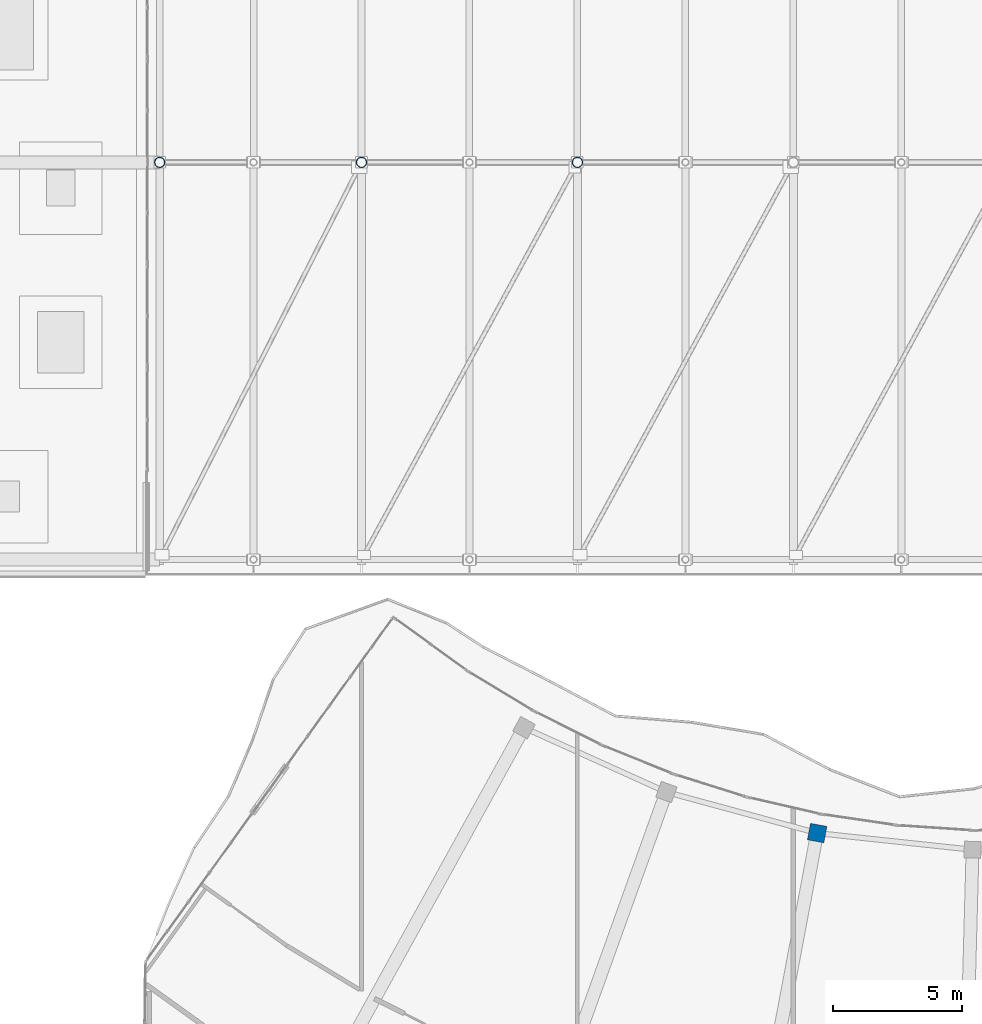
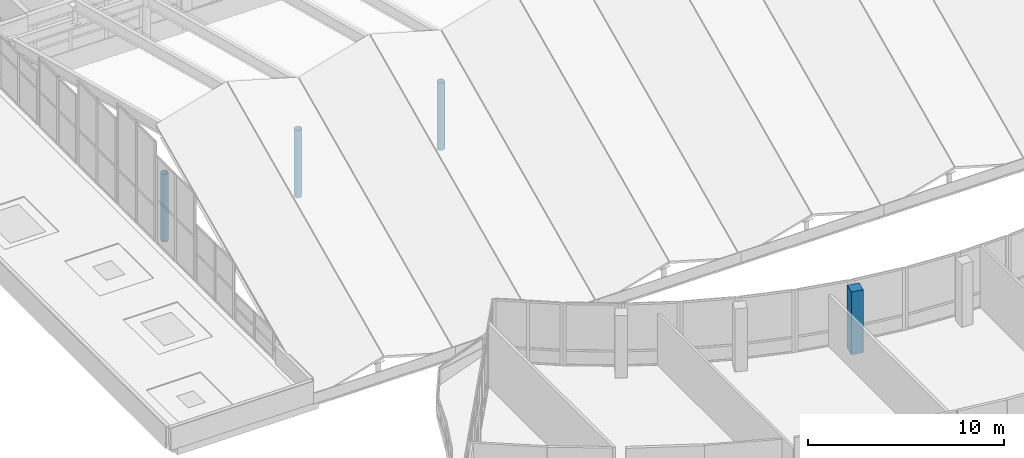
# One storey, part 2 of 184: 4 columns.
"""IFC4 building model written with IfcOpenShell, lengths in metres."""

import ifcopenshell
import ifcopenshell.guid

model = None  # the IFC model being written
_history = None  # IfcOwnerHistory: only IFC2X3 demands one
_inside = {}  # id of a spatial element -> (the spatial element, [elements in it])
_under = {}  # id of a project, library or spatial element -> (it, [spatial elements below it])
_declared = {}  # id of a project -> (the project, [libraries it declares])
_typed = {}  # id of a type object -> (the type object, [elements of that type])
_made_of = {}  # id of a material, layer set ... -> (it, [elements and type objects made of it])


def new_model(schema):
    """Start an empty IFC model of exactly this schema.

    Asked for "IFC4X3", IfcOpenShell would pick the latest addendum, in which some entities
    have other attributes; the version numbers below select the first issue.
    IFC2X3 requires an IfcOwnerHistory on every rooted entity: one is made here for all.
    """
    global model, _history
    if schema == "IFC4X3":
        model = ifcopenshell.file(schema_version=(4, 3, 0, 0))
    else:
        model = ifcopenshell.file(schema=schema)
    _inside.clear()
    _under.clear()
    _declared.clear()
    _typed.clear()
    _made_of.clear()
    _history = None
    if model.schema == "IFC2X3":
        org = make("IfcOrganization", Name="unknown")
        user = make(
            "IfcPersonAndOrganization",
            ThePerson=make("IfcPerson", FamilyName="unknown"),
            TheOrganization=org,
        )
        app = make(
            "IfcApplication",
            ApplicationDeveloper=org,
            Version="unknown",
            ApplicationFullName="unknown",
            ApplicationIdentifier="unknown",
        )
        _history = make(
            "IfcOwnerHistory",
            OwningUser=user,
            OwningApplication=app,
            ChangeAction="ADDED",
            CreationDate=0,
        )
    return model


def make(cls, **values):
    """One entity of the class cls with the attributes given. An attribute that is None is left unset."""
    return model.create_entity(
        cls, **{name: value for name, value in values.items() if value is not None}
    )


def rooted(cls, **values):
    """An entity with a GlobalId (a new one), such as an element, a storey or a relation."""
    return make(cls, GlobalId=ifcopenshell.guid.new(), OwnerHistory=_history, **values)


def si_unit(unit_type, name, prefix=None):
    """IfcSIUnit, for example si_unit("LENGTHUNIT", "METRE", prefix="MILLI")."""
    return make("IfcSIUnit", UnitType=unit_type, Prefix=prefix, Name=name)


def assignment(units):
    """IfcUnitAssignment: the units of a project."""
    return None if units is None else make("IfcUnitAssignment", Units=units)


def point(xyz):
    """IfcCartesianPoint."""
    return None if xyz is None else make("IfcCartesianPoint", Coordinates=xyz)


def direction(xyz):
    """IfcDirection."""
    return None if xyz is None else make("IfcDirection", DirectionRatios=xyz)


def frame(location, z_axis=None, x_axis=None):
    """IfcAxis2Placement3D, a coordinate frame: its origin and axes. An axis left out is left unset."""
    return make(
        "IfcAxis2Placement3D",
        Location=point(location),
        Axis=direction(z_axis),
        RefDirection=direction(x_axis),
    )


def frame_2d(location, x_axis=None):
    """IfcAxis2Placement2D, a coordinate frame in the plane: its origin and x axis."""
    return make(
        "IfcAxis2Placement2D", Location=point(location), RefDirection=direction(x_axis)
    )


def origin():
    """The frame at (0, 0, 0) with its axes left unset."""
    return frame((0.0, 0.0, 0.0))


def origin_2d():
    """The frame at (0, 0) in the plane with its x axis left unset."""
    return frame_2d((0.0, 0.0))


def place(relative_to, where):
    """IfcLocalPlacement: puts the frame where relative to a parent placement (None: the world)."""
    return make(
        "IfcLocalPlacement", PlacementRelTo=relative_to, RelativePlacement=where
    )


def context(
    kind, dimensions, precision=None, world=None, true_north=None, identifier=None
):
    """IfcGeometricRepresentationContext, for example the 3D "Model" context."""
    return make(
        "IfcGeometricRepresentationContext",
        ContextIdentifier=identifier,
        ContextType=kind,
        CoordinateSpaceDimension=dimensions,
        Precision=precision,
        WorldCoordinateSystem=world,
        TrueNorth=true_north,
    )


def subcontext(parent, identifier, kind, view, scale=None):
    """IfcGeometricRepresentationSubContext, for example "Body" below "Model"."""
    return make(
        "IfcGeometricRepresentationSubContext",
        ContextIdentifier=identifier,
        ContextType=kind,
        ParentContext=parent,
        TargetScale=scale,
        TargetView=view,
    )


def project(units=None, contexts=None):
    """IfcProject with its units and contexts."""
    return rooted(
        "IfcProject",
        Name="project",
        RepresentationContexts=contexts,
        UnitsInContext=assignment(units),
    )


def spatial(cls, under=None, at=None, **own):
    """A site, building, storey or space (cls), placed at a placement, below another one or the project."""
    s = rooted(cls, ObjectPlacement=at, **own)
    if under is not None:
        _under.setdefault(under.id(), (under, []))[1].append(s)
    return s


def profile(cls, at=None, kind="AREA", **sizes):
    """A parametric profile (cls). Its sizes go by their IFC names, for example OverallWidth=200.0."""
    return make(cls, ProfileType=kind, Position=at, **sizes)


def rectangle(**sizes):
    """IfcRectangleProfileDef."""
    return profile("IfcRectangleProfileDef", **sizes)


def hollow_circle(**sizes):
    """IfcCircleHollowProfileDef."""
    return profile("IfcCircleHollowProfileDef", **sizes)


def extrude(swept, where, along, depth):
    """IfcExtrudedAreaSolid: the profile swept, set in the frame where, extruded along a direction by depth."""
    return make(
        "IfcExtrudedAreaSolid",
        SweptArea=swept,
        Position=where,
        ExtrudedDirection=direction(along),
        Depth=depth,
    )


def shape(context_of_items, identifier, shape_type, items):
    """IfcShapeRepresentation: the items that make up one representation, for example the "Body"."""
    return make(
        "IfcShapeRepresentation",
        ContextOfItems=context_of_items,
        RepresentationIdentifier=identifier,
        RepresentationType=shape_type,
        Items=items,
    )


def material(Name=None, Category=None):
    """IfcMaterial."""
    return make("IfcMaterial", Name=Name, Category=Category)


def material_profile(
    of_material, cross_section, Name=None, Category=None, Priority=None
):
    """IfcMaterialProfile: a cross section and its material."""
    return make(
        "IfcMaterialProfile",
        Name=Name,
        Material=of_material,
        Profile=cross_section,
        Priority=Priority,
        Category=Category,
    )


def profile_set(profiles, Name=None, composite=None):
    """IfcMaterialProfileSet."""
    return make(
        "IfcMaterialProfileSet",
        Name=Name,
        MaterialProfiles=profiles,
        CompositeProfile=composite,
    )


def made_of(thing, what):
    """Note that an element or type object is made of a material, layer set ...; save() writes the relation."""
    if what is not None:
        _made_of.setdefault(what.id(), (what, []))[1].append(thing)
    return thing


def type_object(cls, material=None, **own):
    """A type object (cls), such as IfcWallType, which elements share."""
    return made_of(rooted(cls, **own), material)


def element(
    cls,
    number,
    at=None,
    inside=None,
    cuts=None,
    type_object=None,
    material=None,
    context=None,
    identifier="Body",
    shape_type=None,
    held_by="IfcProductDefinitionShape",
    body=None,
    shapes=None,
    **own,
):
    """One element of the class cls, such as IfcWall. Its Tag is "e" and its number.

    at: its placement. inside: the storey or other place that contains it. cuts: it is an
    opening in that element (IfcRelVoidsElement). A single representation is given by context,
    identifier, shape_type and body (its items); several are given by shapes. held_by: the class
    of the entity that holds the representations. save() writes the other relations.
    """
    e = rooted(cls, Tag="e%d" % number, ObjectPlacement=at, **own)
    if body is not None:
        shapes = [shape(context, identifier, shape_type, body)]
    if shapes is not None:
        e.Representation = make(held_by, Representations=shapes)
    if inside is not None:
        _inside.setdefault(inside.id(), (inside, []))[1].append(e)
    if cuts is not None:
        rooted(
            "IfcRelVoidsElement", RelatingBuildingElement=cuts, RelatedOpeningElement=e
        )
    if type_object is not None:
        _typed.setdefault(type_object.id(), (type_object, []))[1].append(e)
    return made_of(e, material)


def aggregate(whole, parts):
    """IfcRelAggregates: a whole, such as a stair, and the parts it consists of."""
    return rooted("IfcRelAggregates", RelatingObject=whole, RelatedObjects=parts)


def save(model, path):
    """Write the relations noted so far, then the file.

    IfcRelAggregates (storeys below a building ...), IfcRelContainedInSpatialStructure (elements
    in a storey), IfcRelDefinesByType, IfcRelAssociatesMaterial and IfcRelDeclares: one each for
    every whole, place, type object, material and project.
    """
    for whole, parts in _under.values():
        aggregate(whole, parts)
    for where, things in _inside.values():
        rooted(
            "IfcRelContainedInSpatialStructure",
            RelatedElements=things,
            RelatingStructure=where,
        )
    for kind, things in _typed.values():
        rooted("IfcRelDefinesByType", RelatedObjects=things, RelatingType=kind)
    for what, things in _made_of.values():
        rooted("IfcRelAssociatesMaterial", RelatedObjects=things, RelatingMaterial=what)
    for by, libraries in _declared.values():
        rooted("IfcRelDeclares", RelatingContext=by, RelatedDefinitions=libraries)
    model.write(path)


model = new_model("IFC4")

# Units and contexts
model_context = context("Model", 3, precision=1e-05, world=origin(), true_north=direction((0.0, 1.0)))
body_context = subcontext(model_context, "Body", "Model", "MODEL_VIEW")
ifc_project = project(units=[si_unit("LENGTHUNIT", "METRE"), si_unit("AREAUNIT", "SQUARE_METRE"), si_unit("VOLUMEUNIT", "CUBIC_METRE"), si_unit("PLANEANGLEUNIT", "RADIAN"), si_unit("MASSUNIT", "GRAM", prefix="KILO")], contexts=[model_context])

# Site, building, storey
site_placement = place(None, origin())
site = spatial("IfcSite", under=ifc_project, at=site_placement, CompositionType="ELEMENT")
building_placement = place(site_placement, origin())
building = spatial("IfcBuilding", under=site, at=building_placement, Name="Selatvlak General Hospital", CompositionType="ELEMENT")
storey_placement = place(building_placement, frame((0.0, 0.0, 15.0)))
storey = spatial("IfcBuildingStorey", under=building, at=storey_placement, Name="L03", CompositionType="ELEMENT", Elevation=15.0)

# Columns
ifc_material_1 = material(Name="Steel S355", Category="steel")
ifc_material_profile_1 = material_profile(ifc_material_1, hollow_circle(Radius=0.203125, WallThickness=0.01611328125, at=origin_2d()), Name="CHS 406.4x16")
ifc_profile_set_1 = profile_set([ifc_material_profile_1], Name="Steel S355")
column_type_1 = type_object("IfcColumnType", Name="COL-CHS406", PredefinedType="COLUMN", material=ifc_profile_set_1)
for number, where, z_axis, x_axis, name in (
    (1, (23.35009765625, 68.0, 0.0), (0.0, 0.0, 1.0), (1.0, 0.0, 0.0), "Column 002 on L03"),
    (2, (31.199951171875, 68.0, 0.0), (0.0, 0.0, 1.0), (1.0, 0.0, 0.0), "Column 005 on L03"),
    (3, (39.60009765625, 68.0, 0.0), (0.0, 0.0, 1.0), (1.0, 0.0, 0.0), "Column 008 on L03"),
):
    element("IfcColumn", number, at=place(storey_placement, frame(where, z_axis=z_axis, x_axis=x_axis)), inside=storey, type_object=column_type_1, Name=name, PredefinedType="COLUMN", context=body_context, shape_type="SweptSolid", body=[
        extrude(hollow_circle(Radius=0.203125, WallThickness=0.01611328125, at=origin_2d()), origin(), (0.0, 0.0, 1.0), 4.199951171875),
    ])
ifc_material_2 = material(Name="Concrete C40/50", Category="concrete")
ifc_material_profile_2 = material_profile(ifc_material_2, rectangle(XDim=0.64990234375, YDim=0.64990234375, at=origin_2d()), Name="RC-COL 650x650")
ifc_profile_set_2 = profile_set([ifc_material_profile_2], Name="Concrete C40/50")
column_type_2 = type_object("IfcColumnType", Name="COL-RC65", PredefinedType="COLUMN", material=ifc_profile_set_2)
column_placement = place(storey_placement, frame((48.924072265625, 41.909912109375, 0.0), z_axis=(0.0, 0.0, 1.0), x_axis=(0.184997729111, 0.982738948156, 0.0)))
element("IfcColumn", 4, at=column_placement, inside=storey, type_object=column_type_2, Name="Column 319 on L03", PredefinedType="COLUMN", context=body_context, shape_type="SweptSolid", body=[
    extrude(rectangle(XDim=0.64990234375, YDim=0.64990234375, at=origin_2d()), origin(), (0.0, 0.0, 1.0), 3.909912109375),
])

save(model, "model.ifc")
